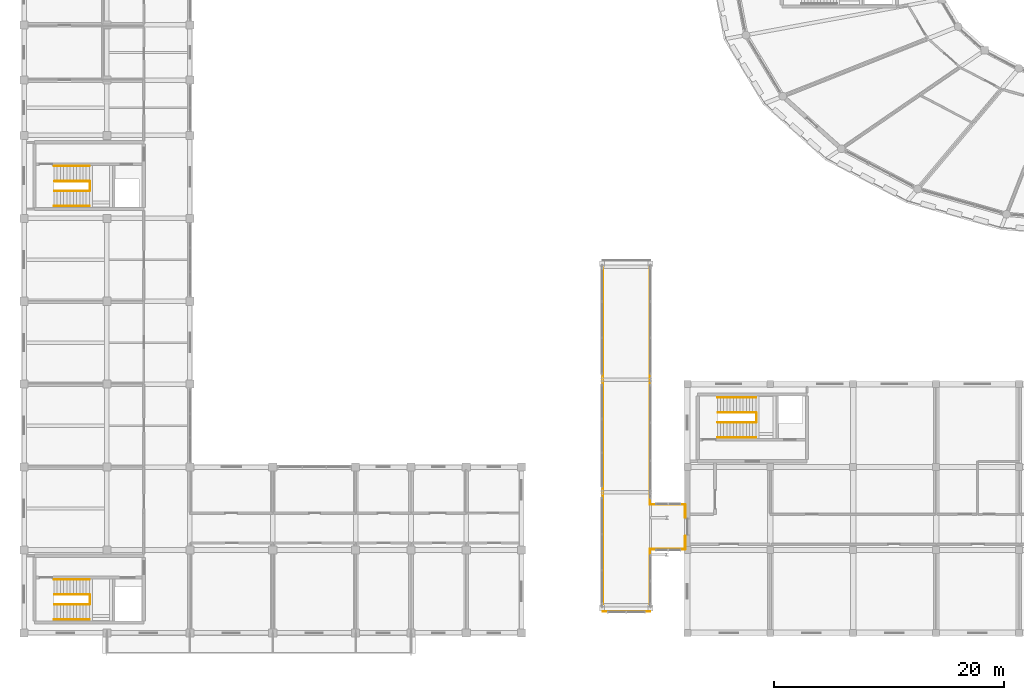
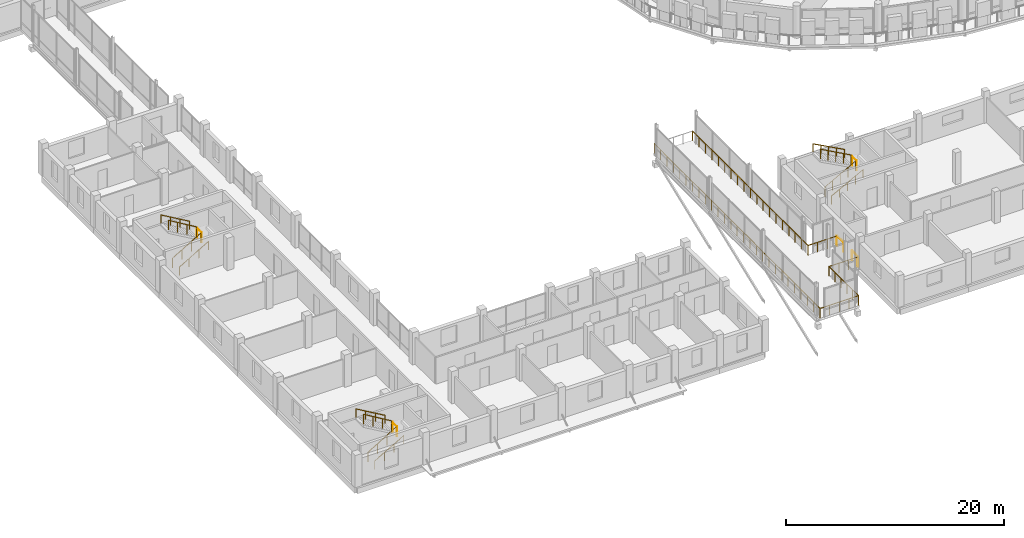
# One storey, part 121 of 128: 21 railings.
"""IFC4 building model written with IfcOpenShell, lengths in metres."""

from ifc_helpers import new_model, si_unit, direction, frame, origin, origin_2d, place, context, subcontext, project, spatial, circle, extrude, material, type_object, element, save


model = new_model("IFC4")

# Units and contexts
model_context = context("Model", 3, precision=1e-05, world=origin(), true_north=direction((0.0, 1.0)))
body_context = subcontext(model_context, "Body", "Model", "MODEL_VIEW")
ifc_project = project(units=[si_unit("LENGTHUNIT", "METRE"), si_unit("AREAUNIT", "SQUARE_METRE"), si_unit("VOLUMEUNIT", "CUBIC_METRE"), si_unit("PLANEANGLEUNIT", "RADIAN"), si_unit("MASSUNIT", "GRAM", prefix="KILO")], contexts=[model_context])

# Site, building, storey
site_placement = place(None, origin())
site = spatial("IfcSite", under=ifc_project, at=site_placement, CompositionType="ELEMENT")
building_placement = place(site_placement, origin())
building = spatial("IfcBuilding", under=site, at=building_placement, Name="Zornivar Specialist Clinic", CompositionType="ELEMENT")
storey_placement = place(building_placement, frame((0.0, 0.0, 4.5)))
storey = spatial("IfcBuildingStorey", under=building, at=storey_placement, Name="L01", CompositionType="ELEMENT", Elevation=4.5)

# Railings
ifc_material_1 = material(Name="Painted Steel and Oiled Timber Balustrade", Category="steel")
railing_type_1 = type_object("IfcRailingType", Name="GRD-EXT-BALUST-1100", PredefinedType="BALUSTRADE", material=ifc_material_1)
railing_1_placement = place(storey_placement, frame((50.260009765625, 1.860107421875, 0.0)))
element("IfcRailing", 1, at=railing_1_placement, inside=storey, type_object=railing_type_1, Name="rail:BR1:L01:endS", PredefinedType="BALUSTRADE", context=body_context, shape_type="SweptSolid", body=[
    extrude(circle(Radius=0.02392578125, at=origin_2d()), frame((0.0, 0.0, 1.076171875), z_axis=(1.0, 0.0, 0.0), x_axis=(0.0, 1.0, 0.0)), (0.0, 0.0, 1.0), 4.080078125),
    extrude(circle(Radius=0.02099609375, at=origin_2d()), origin(), (0.0, 0.0, 1.0), 1.052001953125),
    extrude(circle(Radius=0.02099609375, at=origin_2d()), frame((1.02001953125, 0.0, 0.0)), (0.0, 0.0, 1.0), 1.052001953125),
    extrude(circle(Radius=0.02099609375, at=origin_2d()), frame((2.0400390625, 0.0, 0.0)), (0.0, 0.0, 1.0), 1.052001953125),
    extrude(circle(Radius=0.02099609375, at=origin_2d()), frame((3.06005859375, 0.0, 0.0)), (0.0, 0.0, 1.0), 1.052001953125),
    extrude(circle(Radius=0.02099609375, at=origin_2d()), frame((4.080078125, 0.0, 0.0)), (0.0, 0.0, 1.0), 1.052001953125),
])
for number, where, name in (
    (2, (57.419921875, 7.260009765625, 0.0), "rail:BR1:L01:spES"),
    (3, (57.419921875, 10.0, 0.0), "rail:BR1:L01:spEN"),
):
    element("IfcRailing", number, at=place(storey_placement, frame(where)), inside=storey, type_object=railing_type_1, Name=name, PredefinedType="BALUSTRADE", context=body_context, shape_type="SweptSolid", body=[
        extrude(circle(Radius=0.02392578125, at=origin_2d()), frame((0.0, 0.0, 1.076171875), z_axis=(0.0, 1.0, 0.0), x_axis=(-1.0, 0.0, 0.0)), (0.0, 0.0, 1.0), 1.139892578125),
        extrude(circle(Radius=0.02099609375, at=origin_2d()), origin(), (0.0, 0.0, 1.0), 1.052001953125),
        extrude(circle(Radius=0.02099609375, at=origin_2d()), frame((0.0, 1.139892578125, 0.0)), (0.0, 0.0, 1.0), 1.052001953125),
    ])
railing_2_placement = place(storey_placement, frame((50.260009765625, 1.860107421875, 0.0)))
element("IfcRailing", 4, at=railing_2_placement, inside=storey, type_object=railing_type_1, Name="rail:BR1:L01:sillW", PredefinedType="BALUSTRADE", context=body_context, shape_type="SweptSolid", body=[
    extrude(circle(Radius=0.02392578125, at=origin_2d()), frame((0.0, 0.0, 1.076171875), z_axis=(0.0, 1.0, 0.0), x_axis=(-1.0, 0.0, 0.0)), (0.0, 0.0, 1.0), 30.47998046875),
    extrude(circle(Radius=0.02099609375, at=origin_2d()), origin(), (0.0, 0.0, 1.0), 1.052001953125),
    extrude(circle(Radius=0.02099609375, at=origin_2d()), frame((0.0, 1.17236328125, 0.0)), (0.0, 0.0, 1.0), 1.052001953125),
    extrude(circle(Radius=0.02099609375, at=origin_2d()), frame((0.0, 2.3447265625, 0.0)), (0.0, 0.0, 1.0), 1.052001953125),
    extrude(circle(Radius=0.02099609375, at=origin_2d()), frame((0.0, 3.516845703125, 0.0)), (0.0, 0.0, 1.0), 1.052001953125),
    extrude(circle(Radius=0.02099609375, at=origin_2d()), frame((0.0, 4.689208984375, 0.0)), (0.0, 0.0, 1.0), 1.052001953125),
    extrude(circle(Radius=0.02099609375, at=origin_2d()), frame((0.0, 5.861572265625, 0.0)), (0.0, 0.0, 1.0), 1.052001953125),
    extrude(circle(Radius=0.02099609375, at=origin_2d()), frame((0.0, 7.033935546875, 0.0)), (0.0, 0.0, 1.0), 1.052001953125),
    extrude(circle(Radius=0.02099609375, at=origin_2d()), frame((0.0, 8.2060546875, 0.0)), (0.0, 0.0, 1.0), 1.052001953125),
    extrude(circle(Radius=0.02099609375, at=origin_2d()), frame((0.0, 9.37841796875, 0.0)), (0.0, 0.0, 1.0), 1.052001953125),
    extrude(circle(Radius=0.02099609375, at=origin_2d()), frame((0.0, 10.55078125, 0.0)), (0.0, 0.0, 1.0), 1.052001953125),
    extrude(circle(Radius=0.02099609375, at=origin_2d()), frame((0.0, 11.72314453125, 0.0)), (0.0, 0.0, 1.0), 1.052001953125),
    extrude(circle(Radius=0.02099609375, at=origin_2d()), frame((0.0, 12.895263671875, 0.0)), (0.0, 0.0, 1.0), 1.052001953125),
    extrude(circle(Radius=0.02099609375, at=origin_2d()), frame((0.0, 14.067626953125, 0.0)), (0.0, 0.0, 1.0), 1.052001953125),
    extrude(circle(Radius=0.02099609375, at=origin_2d()), frame((0.0, 15.239990234375, 0.0)), (0.0, 0.0, 1.0), 1.052001953125),
    extrude(circle(Radius=0.02099609375, at=origin_2d()), frame((0.0, 16.412353515625, 0.0)), (0.0, 0.0, 1.0), 1.052001953125),
    extrude(circle(Radius=0.02099609375, at=origin_2d()), frame((0.0, 17.584716796875, 0.0)), (0.0, 0.0, 1.0), 1.052001953125),
    extrude(circle(Radius=0.02099609375, at=origin_2d()), frame((0.0, 18.7568359375, 0.0)), (0.0, 0.0, 1.0), 1.052001953125),
    extrude(circle(Radius=0.02099609375, at=origin_2d()), frame((0.0, 19.92919921875, 0.0)), (0.0, 0.0, 1.0), 1.052001953125),
    extrude(circle(Radius=0.02099609375, at=origin_2d()), frame((0.0, 21.1015625, 0.0)), (0.0, 0.0, 1.0), 1.052001953125),
    extrude(circle(Radius=0.02099609375, at=origin_2d()), frame((0.0, 22.27392578125, 0.0)), (0.0, 0.0, 1.0), 1.052001953125),
    extrude(circle(Radius=0.02099609375, at=origin_2d()), frame((0.0, 23.446044921875, 0.0)), (0.0, 0.0, 1.0), 1.052001953125),
    extrude(circle(Radius=0.02099609375, at=origin_2d()), frame((0.0, 24.618408203125, 0.0)), (0.0, 0.0, 1.0), 1.052001953125),
    extrude(circle(Radius=0.02099609375, at=origin_2d()), frame((0.0, 25.790771484375, 0.0)), (0.0, 0.0, 1.0), 1.052001953125),
    extrude(circle(Radius=0.02099609375, at=origin_2d()), frame((0.0, 26.963134765625, 0.0)), (0.0, 0.0, 1.0), 1.052001953125),
    extrude(circle(Radius=0.02099609375, at=origin_2d()), frame((0.0, 28.13525390625, 0.0)), (0.0, 0.0, 1.0), 1.052001953125),
    extrude(circle(Radius=0.02099609375, at=origin_2d()), frame((0.0, 29.3076171875, 0.0)), (0.0, 0.0, 1.0), 1.052001953125),
    extrude(circle(Radius=0.02099609375, at=origin_2d()), frame((0.0, 30.47998046875, 0.0)), (0.0, 0.0, 1.0), 1.052001953125),
])
railing_3_placement = place(storey_placement, frame((54.340087890625, 1.860107421875, 0.0)))
element("IfcRailing", 5, at=railing_3_placement, inside=storey, type_object=railing_type_1, Name="rail:BR1:L01:sillES", PredefinedType="BALUSTRADE", context=body_context, shape_type="SweptSolid", body=[
    extrude(circle(Radius=0.02392578125, at=origin_2d()), frame((0.0, 0.0, 1.076171875), z_axis=(0.0, 1.0, 0.0), x_axis=(-1.0, 0.0, 0.0)), (0.0, 0.0, 1.0), 5.39990234375),
    extrude(circle(Radius=0.02392578125, at=origin_2d()), frame((0.0, 5.39990234375, 1.076171875), z_axis=(1.0, 0.0, 0.0), x_axis=(0.0, 1.0, 0.0)), (0.0, 0.0, 1.0), 3.079833984375),
    extrude(circle(Radius=0.02099609375, at=origin_2d()), origin(), (0.0, 0.0, 1.0), 1.052001953125),
    extrude(circle(Radius=0.02099609375, at=origin_2d()), frame((0.0, 1.080078125, 0.0)), (0.0, 0.0, 1.0), 1.052001953125),
    extrude(circle(Radius=0.02099609375, at=origin_2d()), frame((0.0, 2.159912109375, 0.0)), (0.0, 0.0, 1.0), 1.052001953125),
    extrude(circle(Radius=0.02099609375, at=origin_2d()), frame((0.0, 3.239990234375, 0.0)), (0.0, 0.0, 1.0), 1.052001953125),
    extrude(circle(Radius=0.02099609375, at=origin_2d()), frame((0.0, 4.31982421875, 0.0)), (0.0, 0.0, 1.0), 1.052001953125),
    extrude(circle(Radius=0.02099609375, at=origin_2d()), frame((0.0, 5.39990234375, 0.0)), (0.0, 0.0, 1.0), 1.052001953125),
    extrude(circle(Radius=0.02099609375, at=origin_2d()), frame((1.026611328125, 5.39990234375, 0.0)), (0.0, 0.0, 1.0), 1.052001953125),
    extrude(circle(Radius=0.02099609375, at=origin_2d()), frame((2.05322265625, 5.39990234375, 0.0)), (0.0, 0.0, 1.0), 1.052001953125),
    extrude(circle(Radius=0.02099609375, at=origin_2d()), frame((3.079833984375, 5.39990234375, 0.0)), (0.0, 0.0, 1.0), 1.052001953125),
])
railing_4_placement = place(storey_placement, frame((57.419921875, 11.139892578125, 0.0)))
element("IfcRailing", 6, at=railing_4_placement, inside=storey, type_object=railing_type_1, Name="rail:BR1:L01:sillEN", PredefinedType="BALUSTRADE", context=body_context, shape_type="SweptSolid", body=[
    extrude(circle(Radius=0.02392578125, at=origin_2d()), frame((0.0, 0.0, 1.076171875), z_axis=(-1.0, 0.0, 0.0), x_axis=(0.0, -1.0, 0.0)), (0.0, 0.0, 1.0), 3.079833984375),
    extrude(circle(Radius=0.02392578125, at=origin_2d()), frame((-3.079833984375, 0.0, 1.076171875), z_axis=(0.0, 1.0, 0.0), x_axis=(-1.0, 0.0, 0.0)), (0.0, 0.0, 1.0), 21.2001953125),
    extrude(circle(Radius=0.02099609375, at=origin_2d()), origin(), (0.0, 0.0, 1.0), 1.052001953125),
    extrude(circle(Radius=0.02099609375, at=origin_2d()), frame((-1.026611328125, 0.0, 0.0)), (0.0, 0.0, 1.0), 1.052001953125),
    extrude(circle(Radius=0.02099609375, at=origin_2d()), frame((-2.05322265625, 0.0, 0.0)), (0.0, 0.0, 1.0), 1.052001953125),
    extrude(circle(Radius=0.02099609375, at=origin_2d()), frame((-3.079833984375, 0.0, 0.0)), (0.0, 0.0, 1.0), 1.052001953125),
    extrude(circle(Radius=0.02099609375, at=origin_2d()), frame((-3.079833984375, 1.177734375, 0.0)), (0.0, 0.0, 1.0), 1.052001953125),
    extrude(circle(Radius=0.02099609375, at=origin_2d()), frame((-3.079833984375, 2.35546875, 0.0)), (0.0, 0.0, 1.0), 1.052001953125),
    extrude(circle(Radius=0.02099609375, at=origin_2d()), frame((-3.079833984375, 3.533447265625, 0.0)), (0.0, 0.0, 1.0), 1.052001953125),
    extrude(circle(Radius=0.02099609375, at=origin_2d()), frame((-3.079833984375, 4.711181640625, 0.0)), (0.0, 0.0, 1.0), 1.052001953125),
    extrude(circle(Radius=0.02099609375, at=origin_2d()), frame((-3.079833984375, 5.888916015625, 0.0)), (0.0, 0.0, 1.0), 1.052001953125),
    extrude(circle(Radius=0.02099609375, at=origin_2d()), frame((-3.079833984375, 7.066650390625, 0.0)), (0.0, 0.0, 1.0), 1.052001953125),
    extrude(circle(Radius=0.02099609375, at=origin_2d()), frame((-3.079833984375, 8.24462890625, 0.0)), (0.0, 0.0, 1.0), 1.052001953125),
    extrude(circle(Radius=0.02099609375, at=origin_2d()), frame((-3.079833984375, 9.42236328125, 0.0)), (0.0, 0.0, 1.0), 1.052001953125),
    extrude(circle(Radius=0.02099609375, at=origin_2d()), frame((-3.079833984375, 10.60009765625, 0.0)), (0.0, 0.0, 1.0), 1.052001953125),
    extrude(circle(Radius=0.02099609375, at=origin_2d()), frame((-3.079833984375, 11.77783203125, 0.0)), (0.0, 0.0, 1.0), 1.052001953125),
    extrude(circle(Radius=0.02099609375, at=origin_2d()), frame((-3.079833984375, 12.95556640625, 0.0)), (0.0, 0.0, 1.0), 1.052001953125),
    extrude(circle(Radius=0.02099609375, at=origin_2d()), frame((-3.079833984375, 14.133544921875, 0.0)), (0.0, 0.0, 1.0), 1.052001953125),
    extrude(circle(Radius=0.02099609375, at=origin_2d()), frame((-3.079833984375, 15.311279296875, 0.0)), (0.0, 0.0, 1.0), 1.052001953125),
    extrude(circle(Radius=0.02099609375, at=origin_2d()), frame((-3.079833984375, 16.489013671875, 0.0)), (0.0, 0.0, 1.0), 1.052001953125),
    extrude(circle(Radius=0.02099609375, at=origin_2d()), frame((-3.079833984375, 17.666748046875, 0.0)), (0.0, 0.0, 1.0), 1.052001953125),
    extrude(circle(Radius=0.02099609375, at=origin_2d()), frame((-3.079833984375, 18.8447265625, 0.0)), (0.0, 0.0, 1.0), 1.052001953125),
    extrude(circle(Radius=0.02099609375, at=origin_2d()), frame((-3.079833984375, 20.0224609375, 0.0)), (0.0, 0.0, 1.0), 1.052001953125),
    extrude(circle(Radius=0.02099609375, at=origin_2d()), frame((-3.079833984375, 21.2001953125, 0.0)), (0.0, 0.0, 1.0), 1.052001953125),
])
ifc_material_2 = material(Name="Brushed Stainless Steel Stair Guardrail", Category="steel")
railing_type_2 = type_object("IfcRailingType", Name="GRD-INT-STAIR-1100", PredefinedType="GUARDRAIL", material=ifc_material_2)
railing_5_placement = place(storey_placement, frame((2.639892578125, 2.47998046875, 0.162109375)))
element("IfcRailing", 7, at=railing_5_placement, inside=storey, type_object=railing_type_2, Name="stair:C1:L01:grd1", PredefinedType="GUARDRAIL", context=body_context, shape_type="SweptSolid", body=[
    extrude(circle(Radius=0.02392578125, at=origin_2d()), frame((0.0, 0.0, 1.076171875), z_axis=(0.859025016629, 0.0, 0.511933609764), x_axis=(0.0, 1.0, 0.0)), (0.0, 0.0, 1.0), 3.492431640625),
    extrude(circle(Radius=0.02099609375, at=origin_2d()), origin(), (0.0, 0.0, 1.0), 1.052001953125),
    extrude(circle(Radius=0.02099609375, at=origin_2d()), frame((1.0, 0.0, 0.595947265625)), (0.0, 0.0, 1.0), 1.052001953125),
    extrude(circle(Radius=0.02099609375, at=origin_2d()), frame((2.0, 0.0, 1.19189453125)), (0.0, 0.0, 1.0), 1.052001953125),
    extrude(circle(Radius=0.02099609375, at=origin_2d()), frame((3.0, 0.0, 1.787841796875)), (0.0, 0.0, 1.0), 1.052001953125),
])
railing_6_placement = place(storey_placement, frame((5.639892578125, 3.320068359375, 2.112060546875)))
element("IfcRailing", 8, at=railing_6_placement, inside=storey, type_object=railing_type_2, Name="stair:C1:L01:grd2", PredefinedType="GUARDRAIL", context=body_context, shape_type="SweptSolid", body=[
    extrude(circle(Radius=0.02392578125, at=origin_2d()), frame((0.0, 0.0, 1.076171875), z_axis=(-0.857511521609, 0.0, 0.514464760998), x_axis=(0.0, -1.0, 0.0)), (0.0, 0.0, 1.0), 3.47509765625),
    extrude(circle(Radius=0.02099609375, at=origin_2d()), origin(), (0.0, 0.0, 1.0), 1.052001953125),
    extrude(circle(Radius=0.02099609375, at=origin_2d()), frame((-0.993408203125, 0.0, 0.595947265625)), (0.0, 0.0, 1.0), 1.052001953125),
    extrude(circle(Radius=0.02099609375, at=origin_2d()), frame((-1.986572265625, 0.0, 1.19189453125)), (0.0, 0.0, 1.0), 1.052001953125),
    extrude(circle(Radius=0.02099609375, at=origin_2d()), frame((-2.97998046875, 0.0, 1.787841796875)), (0.0, 0.0, 1.0), 1.052001953125),
])
railing_7_placement = place(storey_placement, frame((5.7099609375, 2.47998046875, 1.949951171875)))
element("IfcRailing", 9, at=railing_7_placement, inside=storey, type_object=railing_type_2, Name="stair:C1:L01:grdl", PredefinedType="GUARDRAIL", context=body_context, shape_type="SweptSolid", body=[
    extrude(circle(Radius=0.02392578125, at=origin_2d()), frame((0.0, 0.0, 1.076171875), z_axis=(0.0, 1.0, 0.0), x_axis=(-1.0, 0.0, 0.0)), (0.0, 0.0, 1.0), 0.840087890625),
    extrude(circle(Radius=0.02099609375, at=origin_2d()), origin(), (0.0, 0.0, 1.0), 1.052001953125),
    extrude(circle(Radius=0.02099609375, at=origin_2d()), frame((0.0, 0.840087890625, 0.0)), (0.0, 0.0, 1.0), 1.052001953125),
])
railing_8_placement = place(storey_placement, frame((2.639892578125, 38.3798828125, 0.162109375)))
element("IfcRailing", 10, at=railing_8_placement, inside=storey, type_object=railing_type_2, Name="stair:C2:L01:grd1", PredefinedType="GUARDRAIL", context=body_context, shape_type="SweptSolid", body=[
    extrude(circle(Radius=0.02392578125, at=origin_2d()), frame((0.0, 0.0, 1.076171875), z_axis=(0.859025016629, 0.0, 0.511933609764), x_axis=(0.0, 1.0, 0.0)), (0.0, 0.0, 1.0), 3.492431640625),
    extrude(circle(Radius=0.02099609375, at=origin_2d()), origin(), (0.0, 0.0, 1.0), 1.052001953125),
    extrude(circle(Radius=0.02099609375, at=origin_2d()), frame((1.0, 0.0, 0.595947265625)), (0.0, 0.0, 1.0), 1.052001953125),
    extrude(circle(Radius=0.02099609375, at=origin_2d()), frame((2.0, 0.0, 1.19189453125)), (0.0, 0.0, 1.0), 1.052001953125),
    extrude(circle(Radius=0.02099609375, at=origin_2d()), frame((3.0, 0.0, 1.787841796875)), (0.0, 0.0, 1.0), 1.052001953125),
])
railing_9_placement = place(storey_placement, frame((5.639892578125, 39.219970703125, 2.112060546875)))
element("IfcRailing", 11, at=railing_9_placement, inside=storey, type_object=railing_type_2, Name="stair:C2:L01:grd2", PredefinedType="GUARDRAIL", context=body_context, shape_type="SweptSolid", body=[
    extrude(circle(Radius=0.02392578125, at=origin_2d()), frame((0.0, 0.0, 1.076171875), z_axis=(-0.857511521609, 0.0, 0.514464760998), x_axis=(0.0, -1.0, 0.0)), (0.0, 0.0, 1.0), 3.47509765625),
    extrude(circle(Radius=0.02099609375, at=origin_2d()), origin(), (0.0, 0.0, 1.0), 1.052001953125),
    extrude(circle(Radius=0.02099609375, at=origin_2d()), frame((-0.993408203125, 0.0, 0.595947265625)), (0.0, 0.0, 1.0), 1.052001953125),
    extrude(circle(Radius=0.02099609375, at=origin_2d()), frame((-1.986572265625, 0.0, 1.19189453125)), (0.0, 0.0, 1.0), 1.052001953125),
    extrude(circle(Radius=0.02099609375, at=origin_2d()), frame((-2.97998046875, 0.0, 1.787841796875)), (0.0, 0.0, 1.0), 1.052001953125),
])
railing_10_placement = place(storey_placement, frame((5.7099609375, 38.3798828125, 1.949951171875)))
element("IfcRailing", 12, at=railing_10_placement, inside=storey, type_object=railing_type_2, Name="stair:C2:L01:grdl", PredefinedType="GUARDRAIL", context=body_context, shape_type="SweptSolid", body=[
    extrude(circle(Radius=0.02392578125, at=origin_2d()), frame((0.0, 0.0, 1.076171875), z_axis=(0.0, 1.0, 0.0), x_axis=(-1.0, 0.0, 0.0)), (0.0, 0.0, 1.0), 0.840087890625),
    extrude(circle(Radius=0.02099609375, at=origin_2d()), origin(), (0.0, 0.0, 1.0), 1.052001953125),
    extrude(circle(Radius=0.02099609375, at=origin_2d()), frame((0.0, 0.840087890625, 0.0)), (0.0, 0.0, 1.0), 1.052001953125),
])
railing_11_placement = place(storey_placement, frame((60.239990234375, 18.280029296875, 0.14990234375)))
element("IfcRailing", 13, at=railing_11_placement, inside=storey, type_object=railing_type_2, Name="stair:C5:L01:grd1", PredefinedType="GUARDRAIL", context=body_context, shape_type="SweptSolid", body=[
    extrude(circle(Radius=0.02392578125, at=origin_2d()), frame((0.0, 0.0, 1.076171875), z_axis=(0.876663278302, 0.0, 0.481104454851), x_axis=(0.0, 1.0, 0.0)), (0.0, 0.0, 1.0), 3.741455078125),
    extrude(circle(Radius=0.02099609375, at=origin_2d()), origin(), (0.0, 0.0, 1.0), 1.052001953125),
    extrude(circle(Radius=0.02099609375, at=origin_2d()), frame((0.820068359375, 0.0, 0.449951171875)), (0.0, 0.0, 1.0), 1.052001953125),
    extrude(circle(Radius=0.02099609375, at=origin_2d()), frame((1.64013671875, 0.0, 0.89990234375)), (0.0, 0.0, 1.0), 1.052001953125),
    extrude(circle(Radius=0.02099609375, at=origin_2d()), frame((2.4599609375, 0.0, 1.35009765625)), (0.0, 0.0, 1.0), 1.052001953125),
    extrude(circle(Radius=0.02099609375, at=origin_2d()), frame((3.280029296875, 0.0, 1.800048828125)), (0.0, 0.0, 1.0), 1.052001953125),
])
railing_12_placement = place(storey_placement, frame((63.52001953125, 19.1201171875, 2.10009765625)))
element("IfcRailing", 14, at=railing_12_placement, inside=storey, type_object=railing_type_2, Name="stair:C5:L01:grd2", PredefinedType="GUARDRAIL", context=body_context, shape_type="SweptSolid", body=[
    extrude(circle(Radius=0.02392578125, at=origin_2d()), frame((0.0, 0.0, 1.076171875), z_axis=(-0.875443778082, 0.0, 0.483319967949), x_axis=(0.0, -1.0, 0.0)), (0.0, 0.0, 1.0), 3.723876953125),
    extrude(circle(Radius=0.02099609375, at=origin_2d()), origin(), (0.0, 0.0, 1.0), 1.052001953125),
    extrude(circle(Radius=0.02099609375, at=origin_2d()), frame((-0.81494140625, 0.0, 0.449951171875)), (0.0, 0.0, 1.0), 1.052001953125),
    extrude(circle(Radius=0.02099609375, at=origin_2d()), frame((-1.6298828125, 0.0, 0.89990234375)), (0.0, 0.0, 1.0), 1.052001953125),
    extrude(circle(Radius=0.02099609375, at=origin_2d()), frame((-2.445068359375, 0.0, 1.349853515625)), (0.0, 0.0, 1.0), 1.052001953125),
    extrude(circle(Radius=0.02099609375, at=origin_2d()), frame((-3.260009765625, 0.0, 1.7998046875)), (0.0, 0.0, 1.0), 1.052001953125),
])
railing_13_placement = place(storey_placement, frame((63.590087890625, 18.280029296875, 1.949951171875)))
element("IfcRailing", 15, at=railing_13_placement, inside=storey, type_object=railing_type_2, Name="stair:C5:L01:grdl", PredefinedType="GUARDRAIL", context=body_context, shape_type="SweptSolid", body=[
    extrude(circle(Radius=0.02392578125, at=origin_2d()), frame((0.0, 0.0, 1.076171875), z_axis=(0.0, 1.0, 0.0), x_axis=(-1.0, 0.0, 0.0)), (0.0, 0.0, 1.0), 0.840087890625),
    extrude(circle(Radius=0.02099609375, at=origin_2d()), origin(), (0.0, 0.0, 1.0), 1.052001953125),
    extrude(circle(Radius=0.02099609375, at=origin_2d()), frame((0.0, 0.840087890625, 0.0)), (0.0, 0.0, 1.0), 1.052001953125),
])
ifc_material_3 = material(Name="Brushed Stainless Steel Continuous Handrail", Category="steel")
railing_type_3 = type_object("IfcRailingType", Name="HRL-STAIR-0920", PredefinedType="HANDRAIL", material=ifc_material_3)
railing_14_placement = place(storey_placement, frame((2.60009765625, 1.169921875, 0.162109375)))
element("IfcRailing", 16, at=railing_14_placement, inside=storey, type_object=railing_type_3, Name="stair:C1:L01:hr1", PredefinedType="HANDRAIL", context=body_context, shape_type="SweptSolid", body=[
    extrude(circle(Radius=0.02392578125, at=origin_2d()), frame((0.0, 0.0, 0.89599609375), z_axis=(0.864843680186, 0.0, 0.502041242172), x_axis=(0.0, 1.0, 0.0)), (0.0, 0.0, 1.0), 3.56103515625),
    extrude(circle(Radius=0.02099609375, at=origin_2d()), origin(), (0.0, 0.0, 1.0), 0.871826171875),
    extrude(circle(Radius=0.02099609375, at=origin_2d()), frame((1.026611328125, 0.0, 0.595947265625)), (0.0, 0.0, 1.0), 0.871826171875),
    extrude(circle(Radius=0.02099609375, at=origin_2d()), frame((2.05322265625, 0.0, 1.19189453125)), (0.0, 0.0, 1.0), 0.871826171875),
    extrude(circle(Radius=0.02099609375, at=origin_2d()), frame((3.079833984375, 0.0, 1.787841796875)), (0.0, 0.0, 1.0), 0.871826171875),
])
railing_15_placement = place(storey_placement, frame((5.679931640625, 4.6298828125, 2.112060546875)))
element("IfcRailing", 17, at=railing_15_placement, inside=storey, type_object=railing_type_3, Name="stair:C1:L01:hr2", PredefinedType="HANDRAIL", context=body_context, shape_type="SweptSolid", body=[
    extrude(circle(Radius=0.02392578125, at=origin_2d()), frame((0.0, 0.0, 0.89599609375), z_axis=(-0.863416372897, 0.0, 0.504491989047), x_axis=(0.0, -1.0, 0.0)), (0.0, 0.0, 1.0), 3.5439453125),
    extrude(circle(Radius=0.02099609375, at=origin_2d()), origin(), (0.0, 0.0, 1.0), 0.871826171875),
    extrude(circle(Radius=0.02099609375, at=origin_2d()), frame((-1.02001953125, 0.0, 0.595947265625)), (0.0, 0.0, 1.0), 0.871826171875),
    extrude(circle(Radius=0.02099609375, at=origin_2d()), frame((-2.039794921875, 0.0, 1.19189453125)), (0.0, 0.0, 1.0), 0.871826171875),
    extrude(circle(Radius=0.02099609375, at=origin_2d()), frame((-3.059814453125, 0.0, 1.787841796875)), (0.0, 0.0, 1.0), 0.871826171875),
])
railing_16_placement = place(storey_placement, frame((2.60009765625, 37.070068359375, 0.162109375)))
element("IfcRailing", 18, at=railing_16_placement, inside=storey, type_object=railing_type_3, Name="stair:C2:L01:hr1", PredefinedType="HANDRAIL", context=body_context, shape_type="SweptSolid", body=[
    extrude(circle(Radius=0.02392578125, at=origin_2d()), frame((0.0, 0.0, 0.89599609375), z_axis=(0.864843680186, 0.0, 0.502041242172), x_axis=(0.0, 1.0, 0.0)), (0.0, 0.0, 1.0), 3.56103515625),
    extrude(circle(Radius=0.02099609375, at=origin_2d()), origin(), (0.0, 0.0, 1.0), 0.871826171875),
    extrude(circle(Radius=0.02099609375, at=origin_2d()), frame((1.026611328125, 0.0, 0.595947265625)), (0.0, 0.0, 1.0), 0.871826171875),
    extrude(circle(Radius=0.02099609375, at=origin_2d()), frame((2.05322265625, 0.0, 1.19189453125)), (0.0, 0.0, 1.0), 0.871826171875),
    extrude(circle(Radius=0.02099609375, at=origin_2d()), frame((3.079833984375, 0.0, 1.787841796875)), (0.0, 0.0, 1.0), 0.871826171875),
])
railing_17_placement = place(storey_placement, frame((5.679931640625, 40.530029296875, 2.112060546875)))
element("IfcRailing", 19, at=railing_17_placement, inside=storey, type_object=railing_type_3, Name="stair:C2:L01:hr2", PredefinedType="HANDRAIL", context=body_context, shape_type="SweptSolid", body=[
    extrude(circle(Radius=0.02392578125, at=origin_2d()), frame((0.0, 0.0, 0.89599609375), z_axis=(-0.863416372897, 0.0, 0.504491989047), x_axis=(0.0, -1.0, 0.0)), (0.0, 0.0, 1.0), 3.5439453125),
    extrude(circle(Radius=0.02099609375, at=origin_2d()), origin(), (0.0, 0.0, 1.0), 0.871826171875),
    extrude(circle(Radius=0.02099609375, at=origin_2d()), frame((-1.02001953125, 0.0, 0.595947265625)), (0.0, 0.0, 1.0), 0.871826171875),
    extrude(circle(Radius=0.02099609375, at=origin_2d()), frame((-2.039794921875, 0.0, 1.19189453125)), (0.0, 0.0, 1.0), 0.871826171875),
    extrude(circle(Radius=0.02099609375, at=origin_2d()), frame((-3.059814453125, 0.0, 1.787841796875)), (0.0, 0.0, 1.0), 0.871826171875),
])
railing_18_placement = place(storey_placement, frame((60.199951171875, 16.969970703125, 0.14990234375)))
element("IfcRailing", 20, at=railing_18_placement, inside=storey, type_object=railing_type_3, Name="stair:C5:L01:hr1", PredefinedType="HANDRAIL", context=body_context, shape_type="SweptSolid", body=[
    extrude(circle(Radius=0.02392578125, at=origin_2d()), frame((0.0, 0.0, 0.89599609375), z_axis=(0.881480922165, 0.0, 0.47221963519), x_axis=(0.0, 1.0, 0.0)), (0.0, 0.0, 1.0), 3.811767578125),
    extrude(circle(Radius=0.02099609375, at=origin_2d()), origin(), (0.0, 0.0, 1.0), 0.871826171875),
    extrude(circle(Radius=0.02099609375, at=origin_2d()), frame((0.840087890625, 0.0, 0.449951171875)), (0.0, 0.0, 1.0), 0.871826171875),
    extrude(circle(Radius=0.02099609375, at=origin_2d()), frame((1.68017578125, 0.0, 0.89990234375)), (0.0, 0.0, 1.0), 0.871826171875),
    extrude(circle(Radius=0.02099609375, at=origin_2d()), frame((2.52001953125, 0.0, 1.35009765625)), (0.0, 0.0, 1.0), 0.871826171875),
    extrude(circle(Radius=0.02099609375, at=origin_2d()), frame((3.360107421875, 0.0, 1.800048828125)), (0.0, 0.0, 1.0), 0.871826171875),
])
railing_19_placement = place(storey_placement, frame((63.56005859375, 20.429931640625, 2.10009765625)))
element("IfcRailing", 21, at=railing_19_placement, inside=storey, type_object=railing_type_3, Name="stair:C5:L01:hr2", PredefinedType="HANDRAIL", context=body_context, shape_type="SweptSolid", body=[
    extrude(circle(Radius=0.02392578125, at=origin_2d()), frame((0.0, 0.0, 0.89599609375), z_axis=(-0.880328493592, 0.0, 0.474364567996), x_axis=(0.0, -1.0, 0.0)), (0.0, 0.0, 1.0), 3.794189453125),
    extrude(circle(Radius=0.02099609375, at=origin_2d()), origin(), (0.0, 0.0, 1.0), 0.871826171875),
    extrude(circle(Radius=0.02099609375, at=origin_2d()), frame((-0.8349609375, 0.0, 0.449951171875)), (0.0, 0.0, 1.0), 0.871826171875),
    extrude(circle(Radius=0.02099609375, at=origin_2d()), frame((-1.669921875, 0.0, 0.89990234375)), (0.0, 0.0, 1.0), 0.871826171875),
    extrude(circle(Radius=0.02099609375, at=origin_2d()), frame((-2.505126953125, 0.0, 1.349853515625)), (0.0, 0.0, 1.0), 0.871826171875),
    extrude(circle(Radius=0.02099609375, at=origin_2d()), frame((-3.340087890625, 0.0, 1.7998046875)), (0.0, 0.0, 1.0), 0.871826171875),
])

save(model, "model.ifc")
